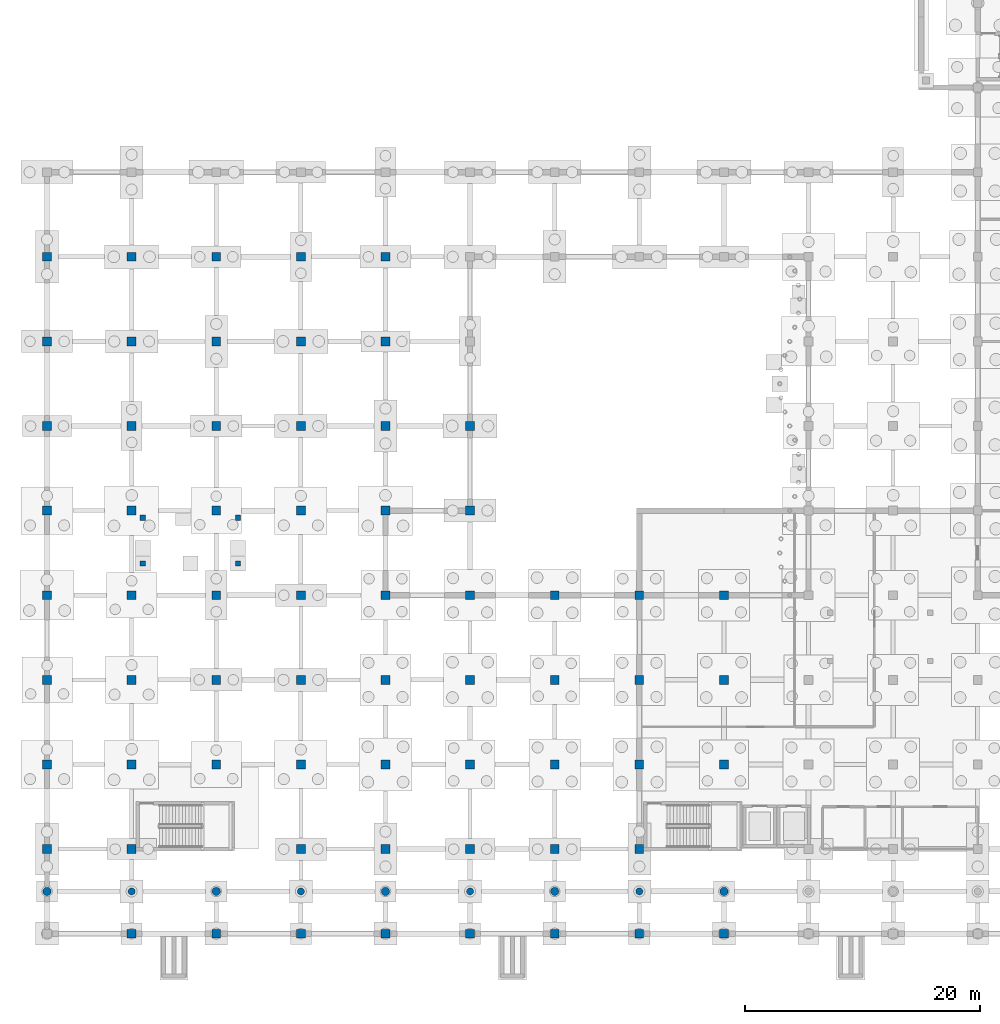
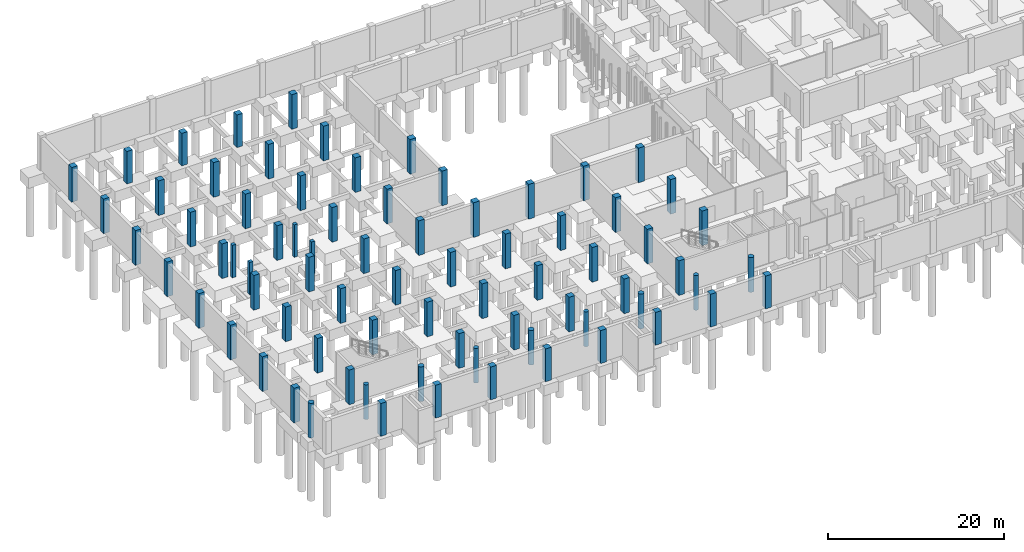
# One storey, part 17 of 35: 77 columns.
"""IFC4 building model written with IfcOpenShell, lengths in metres."""

from ifc_helpers import new_model, si_unit, direction, frame, origin, origin_2d, place, context, subcontext, project, spatial, rectangle, circle, extrude, material, material_profile, profile_set, type_object, element, save


model = new_model("IFC4")

# Units and contexts
model_context = context("Model", 3, precision=1e-05, world=origin(), true_north=direction((0.0, 1.0)))
body_context = subcontext(model_context, "Body", "Model", "MODEL_VIEW")
ifc_project = project(units=[si_unit("LENGTHUNIT", "METRE"), si_unit("AREAUNIT", "SQUARE_METRE"), si_unit("VOLUMEUNIT", "CUBIC_METRE"), si_unit("PLANEANGLEUNIT", "RADIAN"), si_unit("MASSUNIT", "GRAM", prefix="KILO"), si_unit("THERMODYNAMICTEMPERATUREUNIT", "KELVIN"), si_unit("POWERUNIT", "WATT")], contexts=[model_context])

# Site, building, storey
site_placement = place(None, origin())
site = spatial("IfcSite", under=ifc_project, at=site_placement, CompositionType="ELEMENT")
building_placement = place(site_placement, origin())
building = spatial("IfcBuilding", under=site, at=building_placement, Name="Kaldorven Railside Theatre", CompositionType="ELEMENT")
storey_placement = place(building_placement, frame((0.0, 0.0, -4.800048828125)))
storey = spatial("IfcBuildingStorey", under=building, at=storey_placement, Name="B1", CompositionType="ELEMENT", Elevation=-4.800048828125)

# Columns
ifc_material_1 = material(Name="Architectural concrete C40/50", Category="concrete")
ifc_material_profile_1 = material_profile(ifc_material_1, circle(Radius=0.300048828125, at=origin_2d()), Name="RC D600")
ifc_profile_set_1 = profile_set([ifc_material_profile_1], Name="Architectural concrete C40/50")
column_type_1 = type_object("IfcColumnType", Name="COL-CIRC600", PredefinedType="PILASTER", material=ifc_profile_set_1)
for number, where, z_axis, x_axis, name in (
    (1, (15.199951171875, 15.60009765625, 0.0), (0.0, 0.0, 1.0), (1.0, 0.0, 0.0), "B1 Column CG-B1-015-015"),
    (2, (29.60009765625, 15.60009765625, 0.0), (0.0, 0.0, 1.0), (1.0, 0.0, 0.0), "B1 Column CG-B1-029-015"),
    (3, (44.0, 15.60009765625, 0.0), (0.0, 0.0, 1.0), (1.0, 0.0, 0.0), "B1 Column CG-B1-044-015"),
    (4, (58.39990234375, 15.60009765625, 0.0), (0.0, 0.0, 1.0), (1.0, 0.0, 0.0), "B1 Column CG-B1-058-015"),
):
    element("IfcColumn", number, at=place(storey_placement, frame(where, z_axis=z_axis, x_axis=x_axis)), inside=storey, type_object=column_type_1, Name=name, PredefinedType="PILASTER", context=body_context, shape_type="SweptSolid", body=[
        extrude(circle(Radius=0.300048828125, at=origin_2d()), origin(), (0.0, 0.0, 1.0), 4.800048828125),
    ])
ifc_material_profile_2 = material_profile(ifc_material_1, circle(Radius=0.35009765625, at=origin_2d()), Name="RC D700")
ifc_profile_set_2 = profile_set([ifc_material_profile_2], Name="Architectural concrete C40/50")
column_type_2 = type_object("IfcColumnType", Name="COL-CIRC700", PredefinedType="PILASTER", material=ifc_profile_set_2)
for number, where, z_axis, x_axis, name in (
    (5, (8.0, 15.60009765625, 0.0), (0.0, 0.0, 1.0), (1.0, 0.0, 0.0), "B1 Column CG-B1-008-015"),
    (6, (22.39990234375, 15.60009765625, 0.0), (0.0, 0.0, 1.0), (1.0, 0.0, 0.0), "B1 Column CG-B1-022-015"),
    (7, (36.800048828125, 15.60009765625, 0.0), (0.0, 0.0, 1.0), (1.0, 0.0, 0.0), "B1 Column CG-B1-036-015"),
    (8, (51.199951171875, 15.60009765625, 0.0), (0.0, 0.0, 1.0), (1.0, 0.0, 0.0), "B1 Column CG-B1-051-015"),
    (9, (65.60009765625, 15.60009765625, 0.0), (0.0, 0.0, 1.0), (1.0, 0.0, 0.0), "B1 Column CG-B1-065-015"),
):
    element("IfcColumn", number, at=place(storey_placement, frame(where, z_axis=z_axis, x_axis=x_axis)), inside=storey, type_object=column_type_2, Name=name, PredefinedType="PILASTER", context=body_context, shape_type="SweptSolid", body=[
        extrude(circle(Radius=0.35009765625, at=origin_2d()), origin(), (0.0, 0.0, 1.0), 4.800048828125),
    ])
ifc_material_2 = material(Name="Concrete C40/50", Category="concrete")
ifc_material_profile_3 = material_profile(ifc_material_2, rectangle(XDim=0.449951171875, YDim=0.449951171875, at=origin_2d()), Name="RC 450x450")
ifc_profile_set_3 = profile_set([ifc_material_profile_3], Name="Concrete C40/50")
column_type_3 = type_object("IfcColumnType", Name="COL-RC450", PredefinedType="COLUMN", material=ifc_profile_set_3)
for number, where, z_axis, x_axis, name in (
    (10, (16.14990234375, 43.5, 0.0), (0.0, 0.0, 1.0), (1.0, 0.0, 0.0), "Core ST-02 Substructure Boundary Column CCR-001"),
    (11, (24.25, 43.5, 0.0), (0.0, 0.0, 1.0), (1.0, 0.0, 0.0), "Core ST-02 Substructure Boundary Column CCR-002"),
    (12, (24.25, 47.39990234375, 0.0), (0.0, 0.0, 1.0), (1.0, 0.0, 0.0), "Core ST-02 Substructure Boundary Column CCR-003"),
    (13, (16.14990234375, 47.39990234375, 0.0), (0.0, 0.0, 1.0), (1.0, 0.0, 0.0), "Core ST-02 Substructure Boundary Column CCR-004"),
):
    element("IfcColumn", number, at=place(storey_placement, frame(where, z_axis=z_axis, x_axis=x_axis)), inside=storey, type_object=column_type_3, Name=name, PredefinedType="COLUMN", context=body_context, shape_type="SweptSolid", body=[
        extrude(rectangle(XDim=0.449951171875, YDim=0.449951171875, at=origin_2d()), origin(), (0.0, 0.0, 1.0), 4.5),
    ])
ifc_material_profile_4 = material_profile(ifc_material_2, rectangle(XDim=0.75, YDim=0.75, at=origin_2d()), Name="RC 750x750")
ifc_profile_set_4 = profile_set([ifc_material_profile_4], Name="Concrete C40/50")
column_type_4 = type_object("IfcColumnType", Name="COL-RC750", PredefinedType="COLUMN", material=ifc_profile_set_4)
for number, where, z_axis, x_axis, name in (
    (14, (15.199951171875, 12.0, 0.0), (0.0, 0.0, 1.0), (1.0, 0.0, 0.0), "B1 Column CG-B1-015-012"),
    (15, (22.39990234375, 12.0, 0.0), (0.0, 0.0, 1.0), (1.0, 0.0, 0.0), "B1 Column CG-B1-022-012"),
    (16, (29.60009765625, 12.0, 0.0), (0.0, 0.0, 1.0), (1.0, 0.0, 0.0), "B1 Column CG-B1-029-012"),
    (17, (36.800048828125, 12.0, 0.0), (0.0, 0.0, 1.0), (1.0, 0.0, 0.0), "B1 Column CG-B1-036-012"),
    (18, (44.0, 12.0, 0.0), (0.0, 0.0, 1.0), (1.0, 0.0, 0.0), "B1 Column CG-B1-044-012"),
    (19, (51.199951171875, 12.0, 0.0), (0.0, 0.0, 1.0), (1.0, 0.0, 0.0), "B1 Column CG-B1-051-012"),
    (20, (58.39990234375, 12.0, 0.0), (0.0, 0.0, 1.0), (1.0, 0.0, 0.0), "B1 Column CG-B1-058-012"),
    (21, (65.60009765625, 12.0, 0.0), (0.0, 0.0, 1.0), (1.0, 0.0, 0.0), "B1 Column CG-B1-065-012"),
):
    element("IfcColumn", number, at=place(storey_placement, frame(where, z_axis=z_axis, x_axis=x_axis)), inside=storey, type_object=column_type_4, Name=name, PredefinedType="COLUMN", context=body_context, shape_type="SweptSolid", body=[
        extrude(rectangle(XDim=0.75, YDim=0.75, at=origin_2d()), origin(), (0.0, 0.0, 1.0), 4.550048828125),
    ])
for number, where, z_axis, x_axis, name in (
    (22, (8.0, 19.199951171875, 0.0), (0.0, 0.0, 1.0), (0.0, 1.0, 0.0), "B1 Column CG-B1-008-019"),
    (23, (15.199951171875, 19.199951171875, 0.0), (0.0, 0.0, 1.0), (1.0, 0.0, 0.0), "B1 Column CG-B1-015-019"),
    (24, (29.60009765625, 19.199951171875, 0.0), (0.0, 0.0, 1.0), (1.0, 0.0, 0.0), "B1 Column CG-B1-029-019"),
    (25, (36.800048828125, 19.199951171875, 0.0), (0.0, 0.0, 1.0), (1.0, 0.0, 0.0), "B1 Column CG-B1-036-019"),
    (26, (44.0, 19.199951171875, 0.0), (0.0, 0.0, 1.0), (0.0, 1.0, 0.0), "B1 Column CG-B1-044-019"),
    (27, (51.199951171875, 19.199951171875, 0.0), (0.0, 0.0, 1.0), (1.0, 0.0, 0.0), "B1 Column CG-B1-051-019"),
    (28, (58.39990234375, 19.199951171875, 0.0), (0.0, 0.0, 1.0), (0.0, 1.0, 0.0), "B1 Column CG-B1-058-019"),
    (29, (8.0, 26.39990234375, 0.0), (0.0, 0.0, 1.0), (1.0, 0.0, 0.0), "B1 Column CG-B1-008-026"),
    (30, (15.199951171875, 26.39990234375, 0.0), (0.0, 0.0, 1.0), (0.0, 1.0, 0.0), "B1 Column CG-B1-015-026"),
    (31, (22.39990234375, 26.39990234375, 0.0), (0.0, 0.0, 1.0), (1.0, 0.0, 0.0), "B1 Column CG-B1-022-026"),
    (32, (29.60009765625, 26.39990234375, 0.0), (0.0, 0.0, 1.0), (1.0, 0.0, 0.0), "B1 Column CG-B1-029-026"),
    (33, (36.800048828125, 26.39990234375, 0.0), (0.0, 0.0, 1.0), (0.0, 1.0, 0.0), "B1 Column CG-B1-036-026"),
    (34, (44.0, 26.39990234375, 0.0), (0.0, 0.0, 1.0), (1.0, 0.0, 0.0), "B1 Column CG-B1-044-026"),
    (35, (51.199951171875, 26.39990234375, 0.0), (0.0, 0.0, 1.0), (0.0, 1.0, 0.0), "B1 Column CG-B1-051-026"),
    (36, (58.39990234375, 26.39990234375, 0.0), (0.0, 0.0, 1.0), (1.0, 0.0, 0.0), "B1 Column CG-B1-058-026"),
    (37, (65.60009765625, 26.39990234375, 0.0), (0.0, 0.0, 1.0), (1.0, 0.0, 0.0), "B1 Column CG-B1-065-026"),
    (38, (8.0, 33.60009765625, 0.0), (0.0, 0.0, 1.0), (0.0, 1.0, 0.0), "B1 Column CG-B1-008-033"),
    (39, (15.199951171875, 33.60009765625, 0.0), (0.0, 0.0, 1.0), (1.0, 0.0, 0.0), "B1 Column CG-B1-015-033"),
    (40, (22.39990234375, 33.60009765625, 0.0), (0.0, 0.0, 1.0), (1.0, 0.0, 0.0), "B1 Column CG-B1-022-033"),
    (41, (29.60009765625, 33.60009765625, 0.0), (0.0, 0.0, 1.0), (0.0, 1.0, 0.0), "B1 Column CG-B1-029-033"),
    (42, (36.800048828125, 33.60009765625, 0.0), (0.0, 0.0, 1.0), (1.0, 0.0, 0.0), "B1 Column CG-B1-036-033"),
    (43, (44.0, 33.60009765625, 0.0), (0.0, 0.0, 1.0), (0.0, 1.0, 0.0), "B1 Column CG-B1-044-033"),
    (44, (51.199951171875, 33.60009765625, 0.0), (0.0, 0.0, 1.0), (1.0, 0.0, 0.0), "B1 Column CG-B1-051-033"),
    (45, (58.39990234375, 33.60009765625, 0.0), (0.0, 0.0, 1.0), (1.0, 0.0, 0.0), "B1 Column CG-B1-058-033"),
    (46, (65.60009765625, 33.60009765625, 0.0), (0.0, 0.0, 1.0), (0.0, 1.0, 0.0), "B1 Column CG-B1-065-033"),
    (47, (8.0, 40.800048828125, 0.0), (0.0, 0.0, 1.0), (1.0, 0.0, 0.0), "B1 Column CG-B1-008-040"),
    (48, (15.199951171875, 40.800048828125, 0.0), (0.0, 0.0, 1.0), (1.0, 0.0, 0.0), "B1 Column CG-B1-015-040"),
    (49, (22.39990234375, 40.800048828125, 0.0), (0.0, 0.0, 1.0), (0.0, 1.0, 0.0), "B1 Column CG-B1-022-040"),
    (50, (29.60009765625, 40.800048828125, 0.0), (0.0, 0.0, 1.0), (1.0, 0.0, 0.0), "B1 Column CG-B1-029-040"),
    (51, (36.800048828125, 40.800048828125, 0.0), (0.0, 0.0, 1.0), (0.0, 1.0, 0.0), "B1 Column CG-B1-036-040"),
    (52, (44.0, 40.800048828125, 0.0), (0.0, 0.0, 1.0), (1.0, 0.0, 0.0), "B1 Column CG-B1-044-040"),
    (53, (51.199951171875, 40.800048828125, 0.0), (0.0, 0.0, 1.0), (1.0, 0.0, 0.0), "B1 Column CG-B1-051-040"),
    (54, (58.39990234375, 40.800048828125, 0.0), (0.0, 0.0, 1.0), (0.0, 1.0, 0.0), "B1 Column CG-B1-058-040"),
    (55, (65.60009765625, 40.800048828125, 0.0), (0.0, 0.0, 1.0), (1.0, 0.0, 0.0), "B1 Column CG-B1-065-040"),
    (56, (8.0, 48.0, 0.0), (0.0, 0.0, 1.0), (1.0, 0.0, 0.0), "B1 Column CG-B1-008-048"),
    (57, (15.199951171875, 48.0, 0.0), (0.0, 0.0, 1.0), (0.0, 1.0, 0.0), "B1 Column CG-B1-015-048"),
    (58, (22.39990234375, 48.0, 0.0), (0.0, 0.0, 1.0), (1.0, 0.0, 0.0), "B1 Column CG-B1-022-048"),
    (59, (29.60009765625, 48.0, 0.0), (0.0, 0.0, 1.0), (0.0, 1.0, 0.0), "B1 Column CG-B1-029-048"),
    (60, (36.800048828125, 48.0, 0.0), (0.0, 0.0, 1.0), (1.0, 0.0, 0.0), "B1 Column CG-B1-036-048"),
    (61, (44.0, 48.0, 0.0), (0.0, 0.0, 1.0), (1.0, 0.0, 0.0), "B1 Column CG-B1-044-048"),
    (62, (8.0, 55.199951171875, 0.0), (0.0, 0.0, 1.0), (0.0, 1.0, 0.0), "B1 Column CG-B1-008-055"),
    (63, (15.199951171875, 55.199951171875, 0.0), (0.0, 0.0, 1.0), (1.0, 0.0, 0.0), "B1 Column CG-B1-015-055"),
    (64, (22.39990234375, 55.199951171875, 0.0), (0.0, 0.0, 1.0), (0.0, 1.0, 0.0), "B1 Column CG-B1-022-055"),
    (65, (29.60009765625, 55.199951171875, 0.0), (0.0, 0.0, 1.0), (1.0, 0.0, 0.0), "B1 Column CG-B1-029-055"),
    (66, (36.800048828125, 55.199951171875, 0.0), (0.0, 0.0, 1.0), (1.0, 0.0, 0.0), "B1 Column CG-B1-036-055"),
    (67, (44.0, 55.199951171875, 0.0), (0.0, 0.0, 1.0), (0.0, 1.0, 0.0), "B1 Column CG-B1-044-055"),
    (68, (8.0, 62.39990234375, 0.0), (0.0, 0.0, 1.0), (1.0, 0.0, 0.0), "B1 Column CG-B1-008-062"),
    (69, (15.199951171875, 62.39990234375, 0.0), (0.0, 0.0, 1.0), (0.0, 1.0, 0.0), "B1 Column CG-B1-015-062"),
    (70, (22.39990234375, 62.39990234375, 0.0), (0.0, 0.0, 1.0), (1.0, 0.0, 0.0), "B1 Column CG-B1-022-062"),
    (71, (29.60009765625, 62.39990234375, 0.0), (0.0, 0.0, 1.0), (1.0, 0.0, 0.0), "B1 Column CG-B1-029-062"),
    (72, (36.800048828125, 62.39990234375, 0.0), (0.0, 0.0, 1.0), (0.0, 1.0, 0.0), "B1 Column CG-B1-036-062"),
    (73, (8.0, 69.60009765625, 0.0), (0.0, 0.0, 1.0), (0.0, 1.0, 0.0), "B1 Column CG-B1-008-069"),
):
    element("IfcColumn", number, at=place(storey_placement, frame(where, z_axis=z_axis, x_axis=x_axis)), inside=storey, type_object=column_type_4, Name=name, PredefinedType="COLUMN", context=body_context, shape_type="SweptSolid", body=[
        extrude(rectangle(XDim=0.75, YDim=0.75, at=origin_2d()), origin(), (0.0, 0.0, 1.0), 4.800048828125),
    ])
for number, where, z_axis, x_axis, name in (
    (74, (15.199951171875, 69.60009765625, 0.0), (0.0, 0.0, 1.0), (1.0, 0.0, 0.0), "B1 Column CG-B1-015-069"),
    (75, (22.39990234375, 69.60009765625, 0.0), (0.0, 0.0, 1.0), (1.0, 0.0, 0.0), "B1 Column CG-B1-022-069"),
    (76, (29.60009765625, 69.60009765625, 0.0), (0.0, 0.0, 1.0), (0.0, 1.0, 0.0), "B1 Column CG-B1-029-069"),
):
    element("IfcColumn", number, at=place(storey_placement, frame(where, z_axis=z_axis, x_axis=x_axis)), inside=storey, type_object=column_type_4, Name=name, PredefinedType="COLUMN", context=body_context, shape_type="SweptSolid", body=[
        extrude(rectangle(XDim=0.75, YDim=0.75, at=origin_2d()), origin(), (0.0, 0.0, 1.0), 4.5),
    ])
column_placement = place(storey_placement, frame((36.800048828125, 69.60009765625, 0.0), z_axis=(0.0, 0.0, 1.0), x_axis=(1.0, 0.0, 0.0)))
element("IfcColumn", 77, at=column_placement, inside=storey, type_object=column_type_4, Name="B1 Column CG-B1-036-069", PredefinedType="COLUMN", context=body_context, shape_type="SweptSolid", body=[
    extrude(rectangle(XDim=0.75, YDim=0.75, at=origin_2d()), origin(), (0.0, 0.0, 1.0), 4.800048828125),
])

save(model, "model.ifc")
